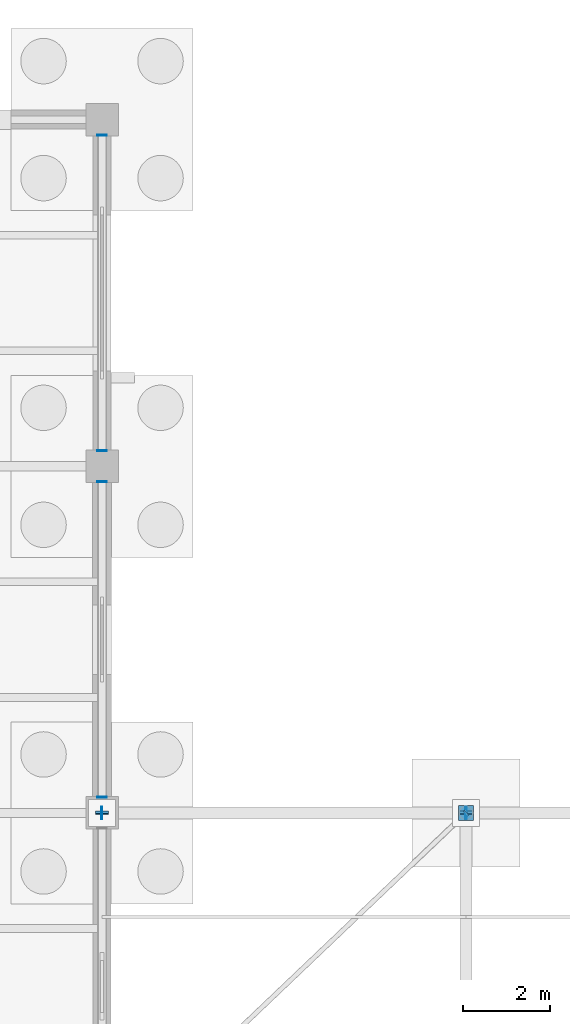
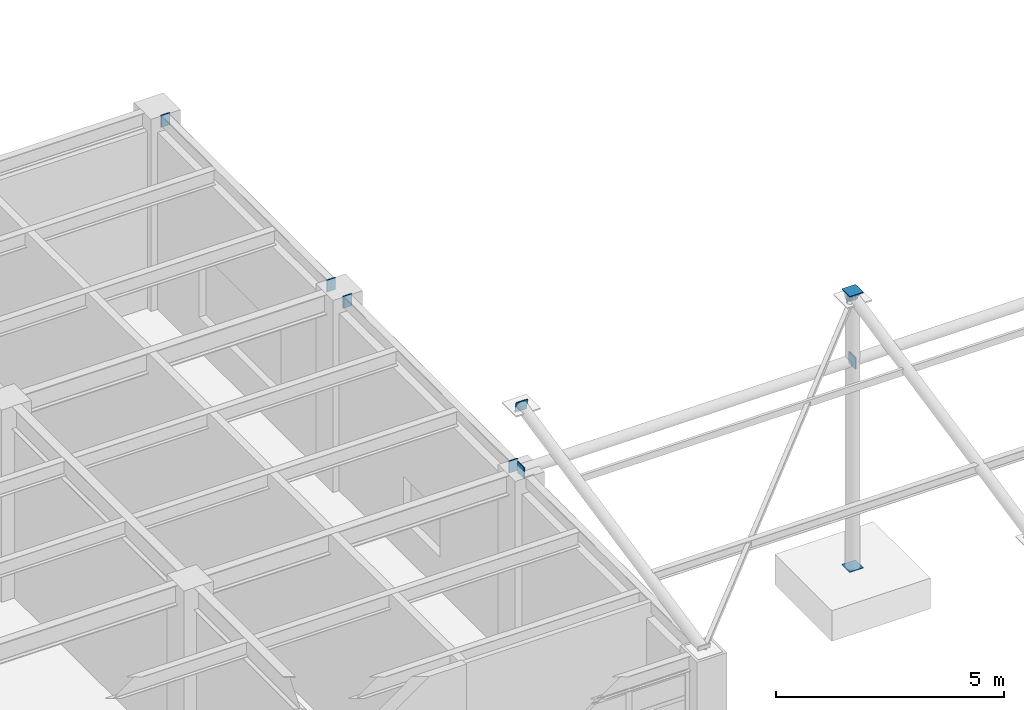
# One storey, part 107 of 138: 12 discrete accessories.
"""IFC4 building model written with IfcOpenShell, lengths in metres."""

from ifc_helpers import new_model, si_unit, direction, frame, origin, origin_2d, place, context, subcontext, project, spatial, rectangle, extrude, material, layer, layer_set, type_object, element, save


model = new_model("IFC4")

# Units and contexts
model_context = context("Model", 3, precision=1e-05, world=origin(), true_north=direction((0.0, 1.0)))
body_context = subcontext(model_context, "Body", "Model", "MODEL_VIEW")
ifc_project = project(units=[si_unit("LENGTHUNIT", "METRE"), si_unit("AREAUNIT", "SQUARE_METRE"), si_unit("VOLUMEUNIT", "CUBIC_METRE"), si_unit("PLANEANGLEUNIT", "RADIAN"), si_unit("MASSUNIT", "GRAM", prefix="KILO")], contexts=[model_context])

# Site, building, storey
site_placement = place(None, origin())
site = spatial("IfcSite", under=ifc_project, at=site_placement, CompositionType="ELEMENT")
building_placement = place(site_placement, origin())
building = spatial("IfcBuilding", under=site, at=building_placement, Name="Kranzveld Transit Interchange", CompositionType="ELEMENT")
storey_placement = place(building_placement, origin())
storey = spatial("IfcBuildingStorey", under=building, at=storey_placement, Name="L00", CompositionType="ELEMENT", Elevation=0.0)

# Discrete accessories
ifc_material = material(Name="Steel S355JR", Category="steel")
ifc_layer = layer(ifc_material, 0.02001953125)
ifc_layer_set = layer_set([ifc_layer], Name="Steel S355JR")
discrete_accessory_type = type_object("IfcDiscreteAccessoryType", Name="Hollow Section End Cap Bracket 20 S355JR", PredefinedType="BRACKET", material=ifc_layer_set)
for number, where, z_axis, x_axis, name in (
    (1, (58.800048828125, 96.0, -0.416015625), (0.0, 0.0, -1.0), (1.0, 0.0, 0.0), "Hollow Section End Cap C-CHS324-1"),
    (2, (58.800048828125, 96.0, 6.950927734375), (0.0, 0.0, 1.0), (1.0, 0.0, 0.0), "Hollow Section End Cap C-CHS324-2"),
):
    element("IfcDiscreteAccessory", number, at=place(storey_placement, frame(where, z_axis=z_axis, x_axis=x_axis)), inside=storey, type_object=discrete_accessory_type, Name=name, PredefinedType="BRACKET", context=body_context, shape_type="SweptSolid", body=[
        extrude(rectangle(XDim=0.347900390625, YDim=0.347900390625, at=origin_2d()), origin(), (0.0, 0.0, 1.0), 0.02001953125),
    ])
for number, where, z_axis, x_axis, name in (
    (3, (50.39990234375, 96.368896484375, 5.0), (0.0, -1.0, 0.0), (1.0, 0.0, 0.0), "Hollow Section End Cap SP-RHS300-1"),
    (4, (50.39990234375, 103.631103515625, 5.0), (0.0, 1.0, 0.0), (-1.0, 0.0, 0.0), "Hollow Section End Cap SP-RHS300-2"),
    (5, (50.39990234375, 104.368896484375, 5.0), (0.0, -1.0, 0.0), (1.0, 0.0, 0.0), "Hollow Section End Cap SP-RHS300-1"),
    (6, (50.39990234375, 111.631103515625, 5.0), (0.0, 1.0, 0.0), (-1.0, 0.0, 0.0), "Hollow Section End Cap SP-RHS300-2"),
):
    element("IfcDiscreteAccessory", number, at=place(storey_placement, frame(where, z_axis=z_axis, x_axis=x_axis)), inside=storey, type_object=discrete_accessory_type, Name=name, PredefinedType="BRACKET", context=body_context, shape_type="SweptSolid", body=[
        extrude(rectangle(XDim=0.22412109375, YDim=0.323974609375, at=origin_2d()), origin(), (0.0, 0.0, 1.0), 0.019775390625),
    ])
for number, where, z_axis, x_axis, name in (
    (7, (50.39990234375, 95.99609375, 6.819091796875), (0.0, 0.978158850918, 0.20785875582), (-1.0, 0.0, 0.0), "Hollow Section End Cap ST-CHS273-2"),
    (8, (50.404052734375, 96.0, 5.10009765625), (-1.0, 0.0, 0.0), (0.0, -1.0, 0.0), "Hollow Section End Cap CH-CHS273-1"),
    (9, (58.7958984375, 96.0, 5.10009765625), (1.0, 0.0, 0.0), (0.0, 1.0, 0.0), "Hollow Section End Cap CH-CHS273-2"),
):
    element("IfcDiscreteAccessory", number, at=place(storey_placement, frame(where, z_axis=z_axis, x_axis=x_axis)), inside=storey, type_object=discrete_accessory_type, Name=name, PredefinedType="BRACKET", context=body_context, shape_type="SweptSolid", body=[
        extrude(rectangle(XDim=0.297119140625, YDim=0.297119140625, at=origin_2d()), origin(), (0.0, 0.0, 1.0), 0.02001953125),
    ])
discrete_accessory_placement = place(storey_placement, frame((58.797119140625, 95.997314453125, 6.779541015625), z_axis=(0.718764316775, 0.682216978634, 0.134006906517), x_axis=(-0.688426310031, 0.725306290926, 0.0)))
element("IfcDiscreteAccessory", 10, at=discrete_accessory_placement, inside=storey, type_object=discrete_accessory_type, Name="Hollow Section End Cap BR-SHS120-2", PredefinedType="BRACKET", context=body_context, shape_type="SweptSolid", body=[
    extrude(rectangle(XDim=0.14404296875, YDim=0.14404296875, at=origin_2d()), origin(), (0.0, 0.0, 1.0), 0.02001953125),
])
for number, where, z_axis, x_axis, name in (
    (11, (58.800048828125, 95.99609375, 6.819091796875), (0.0, 0.978158850918, 0.20785875582), (-1.0, 0.0, 0.0), "Hollow Section End Cap ST-CHS273-2"),
    (12, (58.803955078125, 96.0, 5.10009765625), (-1.0, 0.0, 0.0), (0.0, -1.0, 0.0), "Hollow Section End Cap CH-CHS273-1"),
):
    element("IfcDiscreteAccessory", number, at=place(storey_placement, frame(where, z_axis=z_axis, x_axis=x_axis)), inside=storey, type_object=discrete_accessory_type, Name=name, PredefinedType="BRACKET", context=body_context, shape_type="SweptSolid", body=[
        extrude(rectangle(XDim=0.297119140625, YDim=0.297119140625, at=origin_2d()), origin(), (0.0, 0.0, 1.0), 0.02001953125),
    ])

save(model, "model.ifc")
